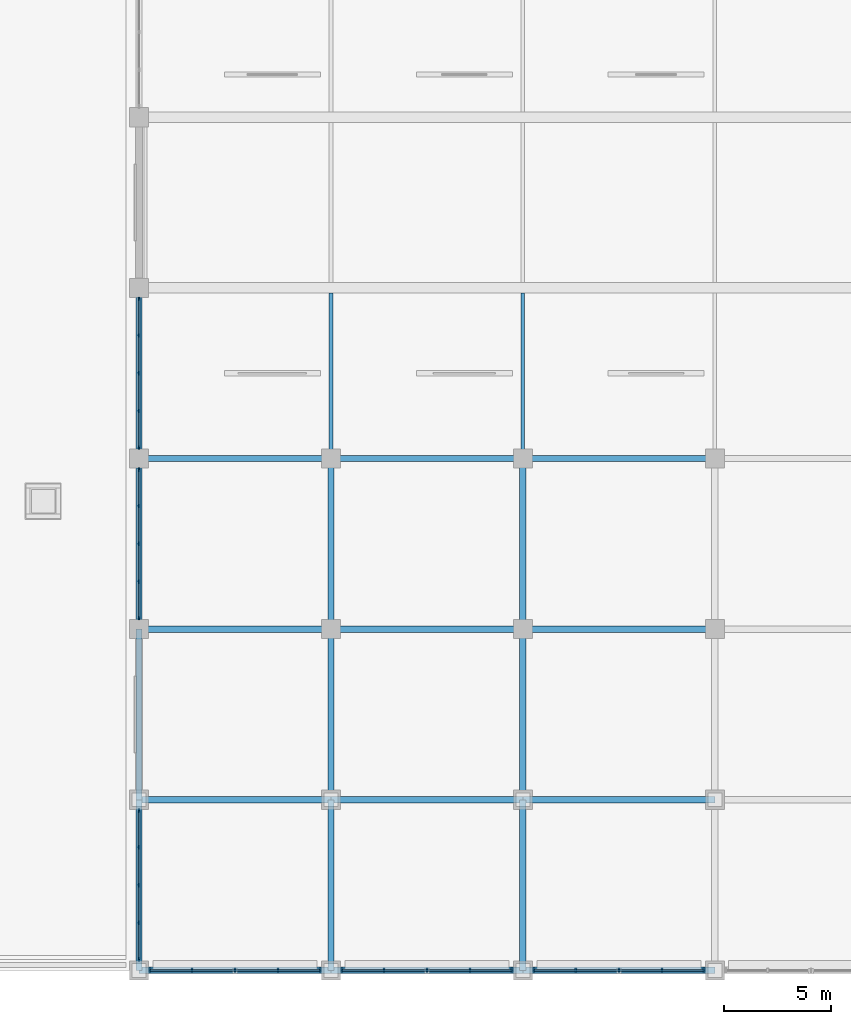
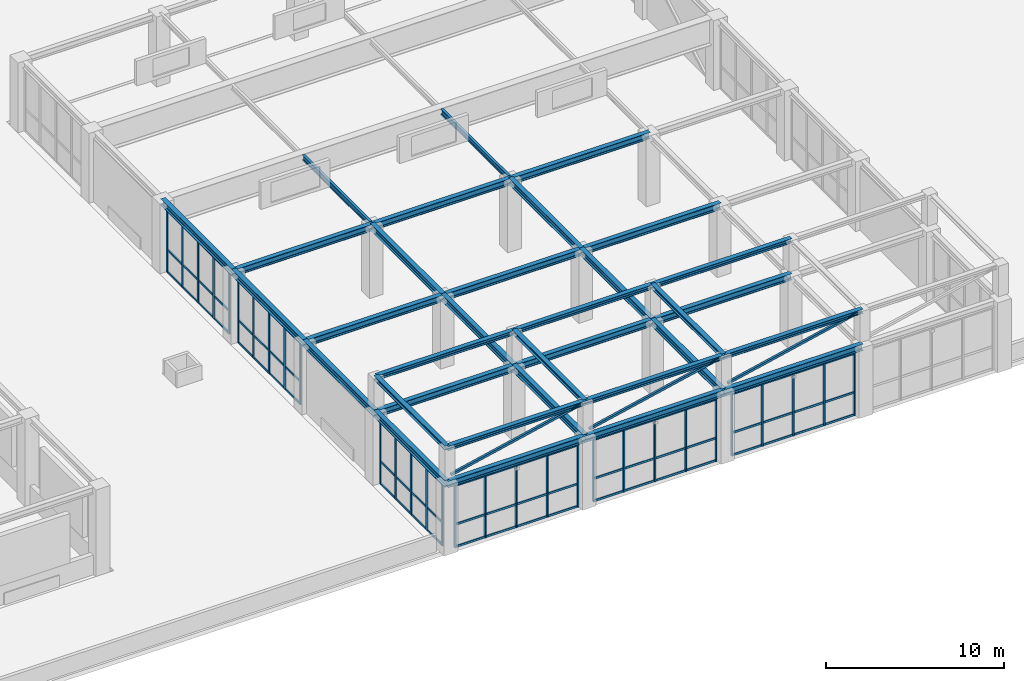
# One storey, part 2 of 34: 51 members, 33 beams, 6 elements without a shape of their own.
"""IFC4 building model written with IfcOpenShell, lengths in metres."""

from ifc_helpers import new_model, si_unit, direction, frame, origin, origin_2d, place, context, subcontext, project, spatial, rectangle, hollow_rectangle, i_section, extrude, material, material_profile, profile_set, type_object, element, aggregate, save


model = new_model("IFC4")

# Units and contexts
model_context = context("Model", 3, precision=1e-05, world=origin(), true_north=direction((0.0, 1.0)))
body_context = subcontext(model_context, "Body", "Model", "MODEL_VIEW")
ifc_project = project(units=[si_unit("LENGTHUNIT", "METRE"), si_unit("AREAUNIT", "SQUARE_METRE"), si_unit("VOLUMEUNIT", "CUBIC_METRE"), si_unit("PLANEANGLEUNIT", "RADIAN"), si_unit("MASSUNIT", "GRAM", prefix="KILO")], contexts=[model_context])

# Site, building, storey
site_placement = place(None, origin())
site = spatial("IfcSite", under=ifc_project, at=site_placement, CompositionType="ELEMENT")
building_placement = place(site_placement, origin())
building = spatial("IfcBuilding", under=site, at=building_placement, Name="Zaverband Oceanarium and Marine Research Institute", CompositionType="ELEMENT")
storey_placement = place(building_placement, frame((0.0, 0.0, 18.0)))
storey = spatial("IfcBuildingStorey", under=building, at=storey_placement, Name="L04", CompositionType="ELEMENT", Elevation=18.0)

# Members
ifc_material_1 = material(Name="Steel S355", Category="steel")
ifc_material_profile_1 = material_profile(ifc_material_1, hollow_rectangle(XDim=0.14990234375, YDim=0.14990234375, WallThickness=0.008056640625, at=origin_2d()), Name="SHS150x150x8")
ifc_profile_set_1 = profile_set([ifc_material_profile_1], Name="Steel S355")
member_type_1 = type_object("IfcMemberType", Name="BR-04", PredefinedType="BRACE", material=ifc_profile_set_1)
for number, where, z_axis, x_axis, name in (
    (1, (72.25, 0.0, 5.10009765625), (0.975918540379, 0.0, 0.218135284962), (0.0, 1.0, 0.0), "Diagonal lateral brace BR-04"),
    (2, (81.25, 0.0, 5.10009765625), (0.975918540379, 0.0, 0.218135284962), (0.0, 1.0, 0.0), "Diagonal lateral brace BR-04"),
    (3, (90.25, 0.0, 5.10009765625), (0.975918540379, 0.0, 0.218135284962), (0.0, 1.0, 0.0), "Diagonal lateral brace BR-04"),
):
    element("IfcMember", number, at=place(storey_placement, frame(where, z_axis=z_axis, x_axis=x_axis)), inside=storey, type_object=member_type_1, Name=name, PredefinedType="BRACE", context=body_context, shape_type="SweptSolid", body=[
        extrude(hollow_rectangle(XDim=0.14990234375, YDim=0.14990234375, WallThickness=0.008056640625, at=origin_2d()), origin(), (0.0, 0.0, 1.0), 8.709716796875),
    ])

# Curtain wall, members
ifc_material_2 = material(Name="Thermally broken anodized aluminium and solar-control glass", Category="aluminium")
curtain_wall_type = type_object("IfcCurtainWallType", Name="CW-UNIT-1800", PredefinedType="NOTDEFINED", material=ifc_material_2)
curtain_wall_1_placement = place(storey_placement, origin())
curtain_wall_1 = element("IfcCurtainWall", 4, at=curtain_wall_1_placement, inside=storey, type_object=curtain_wall_type, Name="Unitised glazed curtain wall CW-183", PredefinedType="NOTDEFINED")
ifc_material_3 = material(Name="Thermally broken anodized aluminium", Category="aluminium")
ifc_material_profile_2 = material_profile(ifc_material_3, rectangle(XDim=0.080078125, YDim=0.179931640625, at=origin_2d()), Name="AL-MUL-80x180")
ifc_profile_set_2 = profile_set([ifc_material_profile_2], Name="Thermally broken anodized aluminium")
member_type_2 = type_object("IfcMemberType", Name="MUL-80x180", PredefinedType="MULLION", material=ifc_profile_set_2)
member_1_placement = place(storey_placement, frame((72.52001953125, 0.0, 0.0), z_axis=(0.0, 0.0, 1.0), x_axis=(1.0, 0.0, 0.0)))
member_1 = element("IfcMember", 5, at=member_1_placement, type_object=member_type_2, Name="Curtain wall vertical mullion MUL-80x180", PredefinedType="MULLION", context=body_context, shape_type="SweptSolid", body=[
    extrude(rectangle(XDim=0.080078125, YDim=0.179931640625, at=origin_2d()), origin(), (0.0, 0.0, 1.0), 4.300048828125),
])
member_2_placement = place(storey_placement, frame((74.47998046875, 0.0, 0.0), z_axis=(0.0, 0.0, 1.0), x_axis=(1.0, 0.0, 0.0)))
member_2 = element("IfcMember", 6, at=member_2_placement, type_object=member_type_2, Name="Curtain wall vertical mullion MUL-80x180", PredefinedType="MULLION", context=body_context, shape_type="SweptSolid", body=[
    extrude(rectangle(XDim=0.080078125, YDim=0.179931640625, at=origin_2d()), origin(), (0.0, 0.0, 1.0), 4.300048828125),
])
member_3_placement = place(storey_placement, frame((76.5, 0.0, 0.0), z_axis=(0.0, 0.0, 1.0), x_axis=(1.0, 0.0, 0.0)))
member_3 = element("IfcMember", 7, at=member_3_placement, type_object=member_type_2, Name="Curtain wall vertical mullion MUL-80x180", PredefinedType="MULLION", context=body_context, shape_type="SweptSolid", body=[
    extrude(rectangle(XDim=0.080078125, YDim=0.179931640625, at=origin_2d()), origin(), (0.0, 0.0, 1.0), 4.300048828125),
])
member_4_placement = place(storey_placement, frame((78.52001953125, 0.0, 0.0), z_axis=(0.0, 0.0, 1.0), x_axis=(1.0, 0.0, 0.0)))
member_4 = element("IfcMember", 8, at=member_4_placement, type_object=member_type_2, Name="Curtain wall vertical mullion MUL-80x180", PredefinedType="MULLION", context=body_context, shape_type="SweptSolid", body=[
    extrude(rectangle(XDim=0.080078125, YDim=0.179931640625, at=origin_2d()), origin(), (0.0, 0.0, 1.0), 4.300048828125),
])
member_5_placement = place(storey_placement, frame((80.47998046875, 0.0, 0.0), z_axis=(0.0, 0.0, 1.0), x_axis=(1.0, 0.0, 0.0)))
member_5 = element("IfcMember", 9, at=member_5_placement, type_object=member_type_2, Name="Curtain wall vertical mullion MUL-80x180", PredefinedType="MULLION", context=body_context, shape_type="SweptSolid", body=[
    extrude(rectangle(XDim=0.080078125, YDim=0.179931640625, at=origin_2d()), origin(), (0.0, 0.0, 1.0), 4.300048828125),
])

curtain_wall_2_placement = place(storey_placement, origin())
curtain_wall_2 = element("IfcCurtainWall", 10, at=curtain_wall_2_placement, inside=storey, type_object=curtain_wall_type, Name="Unitised glazed curtain wall CW-184", PredefinedType="NOTDEFINED")
member_6_placement = place(storey_placement, frame((81.52001953125, 0.0, 0.0), z_axis=(0.0, 0.0, 1.0), x_axis=(1.0, 0.0, 0.0)))
member_6 = element("IfcMember", 11, at=member_6_placement, type_object=member_type_2, Name="Curtain wall vertical mullion MUL-80x180", PredefinedType="MULLION", context=body_context, shape_type="SweptSolid", body=[
    extrude(rectangle(XDim=0.080078125, YDim=0.179931640625, at=origin_2d()), origin(), (0.0, 0.0, 1.0), 4.300048828125),
])
member_7_placement = place(storey_placement, frame((83.47998046875, 0.0, 0.0), z_axis=(0.0, 0.0, 1.0), x_axis=(1.0, 0.0, 0.0)))
member_7 = element("IfcMember", 12, at=member_7_placement, type_object=member_type_2, Name="Curtain wall vertical mullion MUL-80x180", PredefinedType="MULLION", context=body_context, shape_type="SweptSolid", body=[
    extrude(rectangle(XDim=0.080078125, YDim=0.179931640625, at=origin_2d()), origin(), (0.0, 0.0, 1.0), 4.300048828125),
])
member_8_placement = place(storey_placement, frame((85.5, 0.0, 0.0), z_axis=(0.0, 0.0, 1.0), x_axis=(1.0, 0.0, 0.0)))
member_8 = element("IfcMember", 13, at=member_8_placement, type_object=member_type_2, Name="Curtain wall vertical mullion MUL-80x180", PredefinedType="MULLION", context=body_context, shape_type="SweptSolid", body=[
    extrude(rectangle(XDim=0.080078125, YDim=0.179931640625, at=origin_2d()), origin(), (0.0, 0.0, 1.0), 4.300048828125),
])
member_9_placement = place(storey_placement, frame((87.52001953125, 0.0, 0.0), z_axis=(0.0, 0.0, 1.0), x_axis=(1.0, 0.0, 0.0)))
member_9 = element("IfcMember", 14, at=member_9_placement, type_object=member_type_2, Name="Curtain wall vertical mullion MUL-80x180", PredefinedType="MULLION", context=body_context, shape_type="SweptSolid", body=[
    extrude(rectangle(XDim=0.080078125, YDim=0.179931640625, at=origin_2d()), origin(), (0.0, 0.0, 1.0), 4.300048828125),
])
member_10_placement = place(storey_placement, frame((89.47998046875, 0.0, 0.0), z_axis=(0.0, 0.0, 1.0), x_axis=(1.0, 0.0, 0.0)))
member_10 = element("IfcMember", 15, at=member_10_placement, type_object=member_type_2, Name="Curtain wall vertical mullion MUL-80x180", PredefinedType="MULLION", context=body_context, shape_type="SweptSolid", body=[
    extrude(rectangle(XDim=0.080078125, YDim=0.179931640625, at=origin_2d()), origin(), (0.0, 0.0, 1.0), 4.300048828125),
])

curtain_wall_3_placement = place(storey_placement, origin())
curtain_wall_3 = element("IfcCurtainWall", 16, at=curtain_wall_3_placement, inside=storey, type_object=curtain_wall_type, Name="Unitised glazed curtain wall CW-185", PredefinedType="NOTDEFINED")
member_11_placement = place(storey_placement, frame((90.52001953125, 0.0, 0.0), z_axis=(0.0, 0.0, 1.0), x_axis=(1.0, 0.0, 0.0)))
member_11 = element("IfcMember", 17, at=member_11_placement, type_object=member_type_2, Name="Curtain wall vertical mullion MUL-80x180", PredefinedType="MULLION", context=body_context, shape_type="SweptSolid", body=[
    extrude(rectangle(XDim=0.080078125, YDim=0.179931640625, at=origin_2d()), origin(), (0.0, 0.0, 1.0), 4.300048828125),
])
member_12_placement = place(storey_placement, frame((92.47998046875, 0.0, 0.0), z_axis=(0.0, 0.0, 1.0), x_axis=(1.0, 0.0, 0.0)))
member_12 = element("IfcMember", 18, at=member_12_placement, type_object=member_type_2, Name="Curtain wall vertical mullion MUL-80x180", PredefinedType="MULLION", context=body_context, shape_type="SweptSolid", body=[
    extrude(rectangle(XDim=0.080078125, YDim=0.179931640625, at=origin_2d()), origin(), (0.0, 0.0, 1.0), 4.300048828125),
])
member_13_placement = place(storey_placement, frame((94.5, 0.0, 0.0), z_axis=(0.0, 0.0, 1.0), x_axis=(1.0, 0.0, 0.0)))
member_13 = element("IfcMember", 19, at=member_13_placement, type_object=member_type_2, Name="Curtain wall vertical mullion MUL-80x180", PredefinedType="MULLION", context=body_context, shape_type="SweptSolid", body=[
    extrude(rectangle(XDim=0.080078125, YDim=0.179931640625, at=origin_2d()), origin(), (0.0, 0.0, 1.0), 4.300048828125),
])
member_14_placement = place(storey_placement, frame((96.52001953125, 0.0, 0.0), z_axis=(0.0, 0.0, 1.0), x_axis=(1.0, 0.0, 0.0)))
member_14 = element("IfcMember", 20, at=member_14_placement, type_object=member_type_2, Name="Curtain wall vertical mullion MUL-80x180", PredefinedType="MULLION", context=body_context, shape_type="SweptSolid", body=[
    extrude(rectangle(XDim=0.080078125, YDim=0.179931640625, at=origin_2d()), origin(), (0.0, 0.0, 1.0), 4.300048828125),
])
member_15_placement = place(storey_placement, frame((98.47998046875, 0.0, 0.0), z_axis=(0.0, 0.0, 1.0), x_axis=(1.0, 0.0, 0.0)))
member_15 = element("IfcMember", 21, at=member_15_placement, type_object=member_type_2, Name="Curtain wall vertical mullion MUL-80x180", PredefinedType="MULLION", context=body_context, shape_type="SweptSolid", body=[
    extrude(rectangle(XDim=0.080078125, YDim=0.179931640625, at=origin_2d()), origin(), (0.0, 0.0, 1.0), 4.300048828125),
])

curtain_wall_4_placement = place(storey_placement, origin())
curtain_wall_4 = element("IfcCurtainWall", 22, at=curtain_wall_4_placement, inside=storey, type_object=curtain_wall_type, Name="Unitised glazed curtain wall CW-187", PredefinedType="NOTDEFINED")
member_16_placement = place(storey_placement, frame((72.0, 0.52001953125, 0.0), z_axis=(0.0, 0.0, 1.0), x_axis=(1.0, 0.0, 0.0)))
member_16 = element("IfcMember", 23, at=member_16_placement, type_object=member_type_2, Name="Curtain wall vertical mullion MUL-80x180", PredefinedType="MULLION", context=body_context, shape_type="SweptSolid", body=[
    extrude(rectangle(XDim=0.080078125, YDim=0.179931640625, at=origin_2d()), origin(), (0.0, 0.0, 1.0), 4.300048828125),
])
member_17_placement = place(storey_placement, frame((72.0, 2.22998046875, 0.0), z_axis=(0.0, 0.0, 1.0), x_axis=(1.0, 0.0, 0.0)))
member_17 = element("IfcMember", 24, at=member_17_placement, type_object=member_type_2, Name="Curtain wall vertical mullion MUL-80x180", PredefinedType="MULLION", context=body_context, shape_type="SweptSolid", body=[
    extrude(rectangle(XDim=0.080078125, YDim=0.179931640625, at=origin_2d()), origin(), (0.0, 0.0, 1.0), 4.300048828125),
])
member_18_placement = place(storey_placement, frame((72.0, 4.0, 0.0), z_axis=(0.0, 0.0, 1.0), x_axis=(1.0, 0.0, 0.0)))
member_18 = element("IfcMember", 25, at=member_18_placement, type_object=member_type_2, Name="Curtain wall vertical mullion MUL-80x180", PredefinedType="MULLION", context=body_context, shape_type="SweptSolid", body=[
    extrude(rectangle(XDim=0.080078125, YDim=0.179931640625, at=origin_2d()), origin(), (0.0, 0.0, 1.0), 4.300048828125),
])
member_19_placement = place(storey_placement, frame((72.0, 5.77001953125, 0.0), z_axis=(0.0, 0.0, 1.0), x_axis=(1.0, 0.0, 0.0)))
member_19 = element("IfcMember", 26, at=member_19_placement, type_object=member_type_2, Name="Curtain wall vertical mullion MUL-80x180", PredefinedType="MULLION", context=body_context, shape_type="SweptSolid", body=[
    extrude(rectangle(XDim=0.080078125, YDim=0.179931640625, at=origin_2d()), origin(), (0.0, 0.0, 1.0), 4.300048828125),
])
member_20_placement = place(storey_placement, frame((72.0, 7.47998046875, 0.0), z_axis=(0.0, 0.0, 1.0), x_axis=(1.0, 0.0, 0.0)))
member_20 = element("IfcMember", 27, at=member_20_placement, type_object=member_type_2, Name="Curtain wall vertical mullion MUL-80x180", PredefinedType="MULLION", context=body_context, shape_type="SweptSolid", body=[
    extrude(rectangle(XDim=0.080078125, YDim=0.179931640625, at=origin_2d()), origin(), (0.0, 0.0, 1.0), 4.300048828125),
])

curtain_wall_5_placement = place(storey_placement, origin())
curtain_wall_5 = element("IfcCurtainWall", 28, at=curtain_wall_5_placement, inside=storey, type_object=curtain_wall_type, Name="Unitised glazed curtain wall CW-188", PredefinedType="NOTDEFINED")
member_21_placement = place(storey_placement, frame((72.0, 16.52001953125, 0.0), z_axis=(0.0, 0.0, 1.0), x_axis=(1.0, 0.0, 0.0)))
member_21 = element("IfcMember", 29, at=member_21_placement, type_object=member_type_2, Name="Curtain wall vertical mullion MUL-80x180", PredefinedType="MULLION", context=body_context, shape_type="SweptSolid", body=[
    extrude(rectangle(XDim=0.080078125, YDim=0.179931640625, at=origin_2d()), origin(), (0.0, 0.0, 1.0), 4.300048828125),
])
member_22_placement = place(storey_placement, frame((72.0, 18.22998046875, 0.0), z_axis=(0.0, 0.0, 1.0), x_axis=(1.0, 0.0, 0.0)))
member_22 = element("IfcMember", 30, at=member_22_placement, type_object=member_type_2, Name="Curtain wall vertical mullion MUL-80x180", PredefinedType="MULLION", context=body_context, shape_type="SweptSolid", body=[
    extrude(rectangle(XDim=0.080078125, YDim=0.179931640625, at=origin_2d()), origin(), (0.0, 0.0, 1.0), 4.300048828125),
])
member_23_placement = place(storey_placement, frame((72.0, 20.0, 0.0), z_axis=(0.0, 0.0, 1.0), x_axis=(1.0, 0.0, 0.0)))
member_23 = element("IfcMember", 31, at=member_23_placement, type_object=member_type_2, Name="Curtain wall vertical mullion MUL-80x180", PredefinedType="MULLION", context=body_context, shape_type="SweptSolid", body=[
    extrude(rectangle(XDim=0.080078125, YDim=0.179931640625, at=origin_2d()), origin(), (0.0, 0.0, 1.0), 4.300048828125),
])
member_24_placement = place(storey_placement, frame((72.0, 21.77001953125, 0.0), z_axis=(0.0, 0.0, 1.0), x_axis=(1.0, 0.0, 0.0)))
member_24 = element("IfcMember", 32, at=member_24_placement, type_object=member_type_2, Name="Curtain wall vertical mullion MUL-80x180", PredefinedType="MULLION", context=body_context, shape_type="SweptSolid", body=[
    extrude(rectangle(XDim=0.080078125, YDim=0.179931640625, at=origin_2d()), origin(), (0.0, 0.0, 1.0), 4.300048828125),
])
member_25_placement = place(storey_placement, frame((72.0, 23.47998046875, 0.0), z_axis=(0.0, 0.0, 1.0), x_axis=(1.0, 0.0, 0.0)))
member_25 = element("IfcMember", 33, at=member_25_placement, type_object=member_type_2, Name="Curtain wall vertical mullion MUL-80x180", PredefinedType="MULLION", context=body_context, shape_type="SweptSolid", body=[
    extrude(rectangle(XDim=0.080078125, YDim=0.179931640625, at=origin_2d()), origin(), (0.0, 0.0, 1.0), 4.300048828125),
])

curtain_wall_6_placement = place(storey_placement, origin())
curtain_wall_6 = element("IfcCurtainWall", 34, at=curtain_wall_6_placement, inside=storey, type_object=curtain_wall_type, Name="Unitised glazed curtain wall CW-189", PredefinedType="NOTDEFINED")
member_26_placement = place(storey_placement, frame((72.0, 24.52001953125, 0.0), z_axis=(0.0, 0.0, 1.0), x_axis=(1.0, 0.0, 0.0)))
member_26 = element("IfcMember", 35, at=member_26_placement, type_object=member_type_2, Name="Curtain wall vertical mullion MUL-80x180", PredefinedType="MULLION", context=body_context, shape_type="SweptSolid", body=[
    extrude(rectangle(XDim=0.080078125, YDim=0.179931640625, at=origin_2d()), origin(), (0.0, 0.0, 1.0), 4.300048828125),
])
member_27_placement = place(storey_placement, frame((72.0, 26.22998046875, 0.0), z_axis=(0.0, 0.0, 1.0), x_axis=(1.0, 0.0, 0.0)))
member_27 = element("IfcMember", 36, at=member_27_placement, type_object=member_type_2, Name="Curtain wall vertical mullion MUL-80x180", PredefinedType="MULLION", context=body_context, shape_type="SweptSolid", body=[
    extrude(rectangle(XDim=0.080078125, YDim=0.179931640625, at=origin_2d()), origin(), (0.0, 0.0, 1.0), 4.300048828125),
])
member_28_placement = place(storey_placement, frame((72.0, 28.0, 0.0), z_axis=(0.0, 0.0, 1.0), x_axis=(1.0, 0.0, 0.0)))
member_28 = element("IfcMember", 37, at=member_28_placement, type_object=member_type_2, Name="Curtain wall vertical mullion MUL-80x180", PredefinedType="MULLION", context=body_context, shape_type="SweptSolid", body=[
    extrude(rectangle(XDim=0.080078125, YDim=0.179931640625, at=origin_2d()), origin(), (0.0, 0.0, 1.0), 4.300048828125),
])
member_29_placement = place(storey_placement, frame((72.0, 29.77001953125, 0.0), z_axis=(0.0, 0.0, 1.0), x_axis=(1.0, 0.0, 0.0)))
member_29 = element("IfcMember", 38, at=member_29_placement, type_object=member_type_2, Name="Curtain wall vertical mullion MUL-80x180", PredefinedType="MULLION", context=body_context, shape_type="SweptSolid", body=[
    extrude(rectangle(XDim=0.080078125, YDim=0.179931640625, at=origin_2d()), origin(), (0.0, 0.0, 1.0), 4.300048828125),
])
member_30_placement = place(storey_placement, frame((72.0, 31.47998046875, 0.0), z_axis=(0.0, 0.0, 1.0), x_axis=(1.0, 0.0, 0.0)))
member_30 = element("IfcMember", 39, at=member_30_placement, type_object=member_type_2, Name="Curtain wall vertical mullion MUL-80x180", PredefinedType="MULLION", context=body_context, shape_type="SweptSolid", body=[
    extrude(rectangle(XDim=0.080078125, YDim=0.179931640625, at=origin_2d()), origin(), (0.0, 0.0, 1.0), 4.300048828125),
])

# Beams
ifc_material_profile_3 = material_profile(ifc_material_1, i_section(OverallWidth=0.300048828125, OverallDepth=0.300048828125, WebThickness=0.010986328125, FlangeThickness=0.01904296875, FilletRadius=0.027099609375, at=origin_2d()), Name="HEB300")
ifc_profile_set_3 = profile_set([ifc_material_profile_3], Name="Steel S355")
beam_type_1 = type_object("IfcBeamType", Name="SB-HEB300", PredefinedType="BEAM", material=ifc_profile_set_3)
for number, where, z_axis, x_axis, name in (
    (40, (72.0, 0.0, 7.050048828125), (0.0, 1.0, 0.0), (-1.0, 0.0, 0.0), "Crown frame edge girder SB-HEB300"),
    (41, (81.0, 0.0, 7.050048828125), (0.0, 1.0, 0.0), (-1.0, 0.0, 0.0), "Crown frame edge girder SB-HEB300"),
    (42, (90.0, 0.0, 7.050048828125), (0.0, 1.0, 0.0), (-1.0, 0.0, 0.0), "Crown frame edge girder SB-HEB300"),
):
    element("IfcBeam", number, at=place(storey_placement, frame(where, z_axis=z_axis, x_axis=x_axis)), inside=storey, type_object=beam_type_1, Name=name, PredefinedType="BEAM", context=body_context, shape_type="SweptSolid", body=[
        extrude(i_section(OverallWidth=0.300048828125, OverallDepth=0.300048828125, WebThickness=0.010986328125, FlangeThickness=0.01904296875, FilletRadius=0.027099609375, at=origin_2d()), origin(), (0.0, 0.0, 1.0), 8.0),
    ])
for number, where, z_axis, x_axis, name in (
    (43, (72.0, 0.0, 7.050048828125), (1.0, 0.0, 0.0), (0.0, 1.0, 0.0), "Crown frame edge girder SB-HEB300"),
    (44, (72.0, 8.0, 7.050048828125), (1.0, 0.0, 0.0), (0.0, 1.0, 0.0), "Crown frame edge girder SB-HEB300"),
    (45, (81.0, 0.0, 7.050048828125), (1.0, 0.0, 0.0), (0.0, 1.0, 0.0), "Crown frame edge girder SB-HEB300"),
    (46, (81.0, 8.0, 7.050048828125), (1.0, 0.0, 0.0), (0.0, 1.0, 0.0), "Crown frame edge girder SB-HEB300"),
    (47, (90.0, 0.0, 7.050048828125), (1.0, 0.0, 0.0), (0.0, 1.0, 0.0), "Crown frame edge girder SB-HEB300"),
    (48, (90.0, 8.0, 7.050048828125), (1.0, 0.0, 0.0), (0.0, 1.0, 0.0), "Crown frame edge girder SB-HEB300"),
):
    element("IfcBeam", number, at=place(storey_placement, frame(where, z_axis=z_axis, x_axis=x_axis)), inside=storey, type_object=beam_type_1, Name=name, PredefinedType="BEAM", context=body_context, shape_type="SweptSolid", body=[
        extrude(i_section(OverallWidth=0.300048828125, OverallDepth=0.300048828125, WebThickness=0.010986328125, FlangeThickness=0.01904296875, FilletRadius=0.027099609375, at=origin_2d()), origin(), (0.0, 0.0, 1.0), 9.0),
    ])
ifc_material_profile_4 = material_profile(ifc_material_1, i_section(OverallWidth=0.300048828125, OverallDepth=0.449951171875, WebThickness=0.013916015625, FlangeThickness=0.02587890625, FilletRadius=0.027099609375, at=origin_2d()), Name="HEB450")
ifc_profile_set_4 = profile_set([ifc_material_profile_4], Name="Steel S355")
beam_type_2 = type_object("IfcBeamType", Name="SB-HEB450", PredefinedType="BEAM", material=ifc_profile_set_4)
for number, where, z_axis, x_axis, name in (
    (49, (72.0, 0.0, 4.574951171875), (1.0, 0.0, 0.0), (0.0, 1.0, 0.0), "Primary steel canopy girder SB-HEB450"),
    (50, (81.0, 0.0, 4.574951171875), (1.0, 0.0, 0.0), (0.0, 1.0, 0.0), "Primary steel canopy girder SB-HEB450"),
    (51, (90.0, 0.0, 4.574951171875), (1.0, 0.0, 0.0), (0.0, 1.0, 0.0), "Primary steel canopy girder SB-HEB450"),
    (52, (72.0, 8.0, 4.574951171875), (1.0, 0.0, 0.0), (0.0, 1.0, 0.0), "Primary steel canopy girder SB-HEB450"),
    (53, (81.0, 8.0, 4.574951171875), (1.0, 0.0, 0.0), (0.0, 1.0, 0.0), "Primary steel canopy girder SB-HEB450"),
    (54, (90.0, 8.0, 4.574951171875), (1.0, 0.0, 0.0), (0.0, 1.0, 0.0), "Primary steel canopy girder SB-HEB450"),
    (55, (72.0, 16.0, 4.574951171875), (1.0, 0.0, 0.0), (0.0, 1.0, 0.0), "Primary steel canopy girder SB-HEB450"),
    (56, (81.0, 16.0, 4.574951171875), (1.0, 0.0, 0.0), (0.0, 1.0, 0.0), "Primary steel canopy girder SB-HEB450"),
    (57, (90.0, 16.0, 4.574951171875), (1.0, 0.0, 0.0), (0.0, 1.0, 0.0), "Primary steel canopy girder SB-HEB450"),
    (58, (72.0, 24.0, 4.574951171875), (1.0, 0.0, 0.0), (0.0, 1.0, 0.0), "Primary steel canopy girder SB-HEB450"),
    (59, (81.0, 24.0, 4.574951171875), (1.0, 0.0, 0.0), (0.0, 1.0, 0.0), "Primary steel canopy girder SB-HEB450"),
    (60, (90.0, 24.0, 4.574951171875), (1.0, 0.0, 0.0), (0.0, 1.0, 0.0), "Primary steel canopy girder SB-HEB450"),
):
    element("IfcBeam", number, at=place(storey_placement, frame(where, z_axis=z_axis, x_axis=x_axis)), inside=storey, type_object=beam_type_2, Name=name, PredefinedType="BEAM", context=body_context, shape_type="SweptSolid", body=[
        extrude(i_section(OverallWidth=0.300048828125, OverallDepth=0.449951171875, WebThickness=0.013916015625, FlangeThickness=0.02587890625, FilletRadius=0.027099609375, at=origin_2d()), origin(), (0.0, 0.0, 1.0), 9.0),
    ])
for number, where, z_axis, x_axis, name in (
    (61, (72.0, 0.0, 4.574951171875), (0.0, 1.0, 0.0), (-1.0, 0.0, 0.0), "Primary steel canopy girder SB-HEB450"),
    (62, (72.0, 8.0, 4.574951171875), (0.0, 1.0, 0.0), (-1.0, 0.0, 0.0), "Primary steel canopy girder SB-HEB450"),
    (63, (72.0, 16.0, 4.574951171875), (0.0, 1.0, 0.0), (-1.0, 0.0, 0.0), "Primary steel canopy girder SB-HEB450"),
    (64, (81.0, 0.0, 4.574951171875), (0.0, 1.0, 0.0), (-1.0, 0.0, 0.0), "Primary steel canopy girder SB-HEB450"),
    (65, (81.0, 8.0, 4.574951171875), (0.0, 1.0, 0.0), (-1.0, 0.0, 0.0), "Primary steel canopy girder SB-HEB450"),
    (66, (81.0, 16.0, 4.574951171875), (0.0, 1.0, 0.0), (-1.0, 0.0, 0.0), "Primary steel canopy girder SB-HEB450"),
    (67, (90.0, 0.0, 4.574951171875), (0.0, 1.0, 0.0), (-1.0, 0.0, 0.0), "Primary steel canopy girder SB-HEB450"),
    (68, (90.0, 8.0, 4.574951171875), (0.0, 1.0, 0.0), (-1.0, 0.0, 0.0), "Primary steel canopy girder SB-HEB450"),
    (69, (90.0, 16.0, 4.574951171875), (0.0, 1.0, 0.0), (-1.0, 0.0, 0.0), "Primary steel canopy girder SB-HEB450"),
    (70, (72.0, 24.0, 4.574951171875), (0.0, 1.0, 0.0), (-1.0, 0.0, 0.0), "Primary steel canopy girder SB-HEB450"),
):
    element("IfcBeam", number, at=place(storey_placement, frame(where, z_axis=z_axis, x_axis=x_axis)), inside=storey, type_object=beam_type_2, Name=name, PredefinedType="BEAM", context=body_context, shape_type="SweptSolid", body=[
        extrude(i_section(OverallWidth=0.300048828125, OverallDepth=0.449951171875, WebThickness=0.013916015625, FlangeThickness=0.02587890625, FilletRadius=0.027099609375, at=origin_2d()), origin(), (0.0, 0.0, 1.0), 8.0),
    ])
ifc_material_profile_5 = material_profile(ifc_material_1, i_section(OverallWidth=0.169921875, OverallDepth=0.360107421875, WebThickness=0.008056640625, FlangeThickness=0.0126953125, FilletRadius=0.01806640625, at=origin_2d()), Name="IPE360")
ifc_profile_set_5 = profile_set([ifc_material_profile_5], Name="Steel S355")
beam_type_3 = type_object("IfcBeamType", Name="SB-IPE360", PredefinedType="JOIST", material=ifc_profile_set_5)
for number, where, z_axis, x_axis, name in (
    (71, (81.0, 24.14990234375, 4.6201171875), (0.0, 1.0, 0.0), (-1.0, 0.0, 0.0), "Atrium secondary steel joist SB-IPE360"),
    (72, (90.0, 24.14990234375, 4.6201171875), (0.0, 1.0, 0.0), (-1.0, 0.0, 0.0), "Atrium secondary steel joist SB-IPE360"),
):
    element("IfcBeam", number, at=place(storey_placement, frame(where, z_axis=z_axis, x_axis=x_axis)), inside=storey, type_object=beam_type_3, Name=name, PredefinedType="JOIST", context=body_context, shape_type="SweptSolid", body=[
        extrude(i_section(OverallWidth=0.169921875, OverallDepth=0.360107421875, WebThickness=0.008056640625, FlangeThickness=0.0126953125, FilletRadius=0.01806640625, at=origin_2d()), origin(), (0.0, 0.0, 1.0), 7.60009765625),
    ])

# Member
ifc_material_profile_6 = material_profile(ifc_material_3, rectangle(XDim=0.080078125, YDim=0.139892578125, at=origin_2d()), Name="AL-TRN-80x140")
ifc_profile_set_6 = profile_set([ifc_material_profile_6], Name="Thermally broken anodized aluminium")
member_type_3 = type_object("IfcMemberType", Name="TRN-80x140", PredefinedType="USERDEFINED", material=ifc_profile_set_6)
member_31_placement = place(storey_placement, frame((72.52001953125, 0.0, 0.050048828125), z_axis=(1.0, 0.0, 0.0), x_axis=(0.0, 1.0, 0.0)))
member_31 = element("IfcMember", 73, at=member_31_placement, type_object=member_type_3, Name="Curtain wall horizontal transom TRN-80x140", ObjectType="TRANSOM", PredefinedType="USERDEFINED", context=body_context, shape_type="SweptSolid", body=[
    extrude(rectangle(XDim=0.080078125, YDim=0.139892578125, at=origin_2d()), origin(), (0.0, 0.0, 1.0), 7.9599609375),
])

member_32_placement = place(storey_placement, frame((72.52001953125, 0.0, 1.5849609375), z_axis=(1.0, 0.0, 0.0), x_axis=(0.0, 1.0, 0.0)))
member_32 = element("IfcMember", 74, at=member_32_placement, type_object=member_type_3, Name="Curtain wall horizontal transom TRN-80x140", ObjectType="TRANSOM", PredefinedType="USERDEFINED", context=body_context, shape_type="SweptSolid", body=[
    extrude(rectangle(XDim=0.080078125, YDim=0.139892578125, at=origin_2d()), origin(), (0.0, 0.0, 1.0), 7.9599609375),
])

member_33_placement = place(storey_placement, frame((72.52001953125, 0.0, 4.25), z_axis=(1.0, 0.0, 0.0), x_axis=(0.0, 1.0, 0.0)))
member_33 = element("IfcMember", 75, at=member_33_placement, type_object=member_type_3, Name="Curtain wall horizontal transom TRN-80x140", ObjectType="TRANSOM", PredefinedType="USERDEFINED", context=body_context, shape_type="SweptSolid", body=[
    extrude(rectangle(XDim=0.080078125, YDim=0.139892578125, at=origin_2d()), origin(), (0.0, 0.0, 1.0), 7.9599609375),
])

aggregate(curtain_wall_1, [member_1, member_2, member_3, member_4, member_5, member_31, member_32, member_33])

member_34_placement = place(storey_placement, frame((81.52001953125, 0.0, 0.050048828125), z_axis=(1.0, 0.0, 0.0), x_axis=(0.0, 1.0, 0.0)))
member_34 = element("IfcMember", 76, at=member_34_placement, type_object=member_type_3, Name="Curtain wall horizontal transom TRN-80x140", ObjectType="TRANSOM", PredefinedType="USERDEFINED", context=body_context, shape_type="SweptSolid", body=[
    extrude(rectangle(XDim=0.080078125, YDim=0.139892578125, at=origin_2d()), origin(), (0.0, 0.0, 1.0), 7.9599609375),
])

member_35_placement = place(storey_placement, frame((81.52001953125, 0.0, 1.5849609375), z_axis=(1.0, 0.0, 0.0), x_axis=(0.0, 1.0, 0.0)))
member_35 = element("IfcMember", 77, at=member_35_placement, type_object=member_type_3, Name="Curtain wall horizontal transom TRN-80x140", ObjectType="TRANSOM", PredefinedType="USERDEFINED", context=body_context, shape_type="SweptSolid", body=[
    extrude(rectangle(XDim=0.080078125, YDim=0.139892578125, at=origin_2d()), origin(), (0.0, 0.0, 1.0), 7.9599609375),
])

member_36_placement = place(storey_placement, frame((81.52001953125, 0.0, 4.25), z_axis=(1.0, 0.0, 0.0), x_axis=(0.0, 1.0, 0.0)))
member_36 = element("IfcMember", 78, at=member_36_placement, type_object=member_type_3, Name="Curtain wall horizontal transom TRN-80x140", ObjectType="TRANSOM", PredefinedType="USERDEFINED", context=body_context, shape_type="SweptSolid", body=[
    extrude(rectangle(XDim=0.080078125, YDim=0.139892578125, at=origin_2d()), origin(), (0.0, 0.0, 1.0), 7.9599609375),
])

aggregate(curtain_wall_2, [member_6, member_7, member_8, member_9, member_10, member_34, member_35, member_36])

member_37_placement = place(storey_placement, frame((90.52001953125, 0.0, 0.050048828125), z_axis=(1.0, 0.0, 0.0), x_axis=(0.0, 1.0, 0.0)))
member_37 = element("IfcMember", 79, at=member_37_placement, type_object=member_type_3, Name="Curtain wall horizontal transom TRN-80x140", ObjectType="TRANSOM", PredefinedType="USERDEFINED", context=body_context, shape_type="SweptSolid", body=[
    extrude(rectangle(XDim=0.080078125, YDim=0.139892578125, at=origin_2d()), origin(), (0.0, 0.0, 1.0), 7.9599609375),
])

member_38_placement = place(storey_placement, frame((90.52001953125, 0.0, 1.5849609375), z_axis=(1.0, 0.0, 0.0), x_axis=(0.0, 1.0, 0.0)))
member_38 = element("IfcMember", 80, at=member_38_placement, type_object=member_type_3, Name="Curtain wall horizontal transom TRN-80x140", ObjectType="TRANSOM", PredefinedType="USERDEFINED", context=body_context, shape_type="SweptSolid", body=[
    extrude(rectangle(XDim=0.080078125, YDim=0.139892578125, at=origin_2d()), origin(), (0.0, 0.0, 1.0), 7.9599609375),
])

member_39_placement = place(storey_placement, frame((90.52001953125, 0.0, 4.25), z_axis=(1.0, 0.0, 0.0), x_axis=(0.0, 1.0, 0.0)))
member_39 = element("IfcMember", 81, at=member_39_placement, type_object=member_type_3, Name="Curtain wall horizontal transom TRN-80x140", ObjectType="TRANSOM", PredefinedType="USERDEFINED", context=body_context, shape_type="SweptSolid", body=[
    extrude(rectangle(XDim=0.080078125, YDim=0.139892578125, at=origin_2d()), origin(), (0.0, 0.0, 1.0), 7.9599609375),
])

aggregate(curtain_wall_3, [member_11, member_12, member_13, member_14, member_15, member_37, member_38, member_39])

member_40_placement = place(storey_placement, frame((72.0, 0.52001953125, 0.050048828125), z_axis=(0.0, 1.0, 0.0), x_axis=(-1.0, 0.0, 0.0)))
member_40 = element("IfcMember", 82, at=member_40_placement, type_object=member_type_3, Name="Curtain wall horizontal transom TRN-80x140", ObjectType="TRANSOM", PredefinedType="USERDEFINED", context=body_context, shape_type="SweptSolid", body=[
    extrude(rectangle(XDim=0.080078125, YDim=0.139892578125, at=origin_2d()), origin(), (0.0, 0.0, 1.0), 6.9599609375),
])

member_41_placement = place(storey_placement, frame((72.0, 0.52001953125, 1.5849609375), z_axis=(0.0, 1.0, 0.0), x_axis=(-1.0, 0.0, 0.0)))
member_41 = element("IfcMember", 83, at=member_41_placement, type_object=member_type_3, Name="Curtain wall horizontal transom TRN-80x140", ObjectType="TRANSOM", PredefinedType="USERDEFINED", context=body_context, shape_type="SweptSolid", body=[
    extrude(rectangle(XDim=0.080078125, YDim=0.139892578125, at=origin_2d()), origin(), (0.0, 0.0, 1.0), 6.9599609375),
])

member_42_placement = place(storey_placement, frame((72.0, 0.52001953125, 4.25), z_axis=(0.0, 1.0, 0.0), x_axis=(-1.0, 0.0, 0.0)))
member_42 = element("IfcMember", 84, at=member_42_placement, type_object=member_type_3, Name="Curtain wall horizontal transom TRN-80x140", ObjectType="TRANSOM", PredefinedType="USERDEFINED", context=body_context, shape_type="SweptSolid", body=[
    extrude(rectangle(XDim=0.080078125, YDim=0.139892578125, at=origin_2d()), origin(), (0.0, 0.0, 1.0), 6.9599609375),
])

aggregate(curtain_wall_4, [member_16, member_17, member_18, member_19, member_20, member_40, member_41, member_42])

member_43_placement = place(storey_placement, frame((72.0, 16.52001953125, 0.050048828125), z_axis=(0.0, 1.0, 0.0), x_axis=(-1.0, 0.0, 0.0)))
member_43 = element("IfcMember", 85, at=member_43_placement, type_object=member_type_3, Name="Curtain wall horizontal transom TRN-80x140", ObjectType="TRANSOM", PredefinedType="USERDEFINED", context=body_context, shape_type="SweptSolid", body=[
    extrude(rectangle(XDim=0.080078125, YDim=0.139892578125, at=origin_2d()), origin(), (0.0, 0.0, 1.0), 6.9599609375),
])

member_44_placement = place(storey_placement, frame((72.0, 16.52001953125, 1.5849609375), z_axis=(0.0, 1.0, 0.0), x_axis=(-1.0, 0.0, 0.0)))
member_44 = element("IfcMember", 86, at=member_44_placement, type_object=member_type_3, Name="Curtain wall horizontal transom TRN-80x140", ObjectType="TRANSOM", PredefinedType="USERDEFINED", context=body_context, shape_type="SweptSolid", body=[
    extrude(rectangle(XDim=0.080078125, YDim=0.139892578125, at=origin_2d()), origin(), (0.0, 0.0, 1.0), 6.9599609375),
])

member_45_placement = place(storey_placement, frame((72.0, 16.52001953125, 4.25), z_axis=(0.0, 1.0, 0.0), x_axis=(-1.0, 0.0, 0.0)))
member_45 = element("IfcMember", 87, at=member_45_placement, type_object=member_type_3, Name="Curtain wall horizontal transom TRN-80x140", ObjectType="TRANSOM", PredefinedType="USERDEFINED", context=body_context, shape_type="SweptSolid", body=[
    extrude(rectangle(XDim=0.080078125, YDim=0.139892578125, at=origin_2d()), origin(), (0.0, 0.0, 1.0), 6.9599609375),
])

aggregate(curtain_wall_5, [member_21, member_22, member_23, member_24, member_25, member_43, member_44, member_45])

member_46_placement = place(storey_placement, frame((72.0, 24.52001953125, 0.050048828125), z_axis=(0.0, 1.0, 0.0), x_axis=(-1.0, 0.0, 0.0)))
member_46 = element("IfcMember", 88, at=member_46_placement, type_object=member_type_3, Name="Curtain wall horizontal transom TRN-80x140", ObjectType="TRANSOM", PredefinedType="USERDEFINED", context=body_context, shape_type="SweptSolid", body=[
    extrude(rectangle(XDim=0.080078125, YDim=0.139892578125, at=origin_2d()), origin(), (0.0, 0.0, 1.0), 6.9599609375),
])

member_47_placement = place(storey_placement, frame((72.0, 24.52001953125, 1.5849609375), z_axis=(0.0, 1.0, 0.0), x_axis=(-1.0, 0.0, 0.0)))
member_47 = element("IfcMember", 89, at=member_47_placement, type_object=member_type_3, Name="Curtain wall horizontal transom TRN-80x140", ObjectType="TRANSOM", PredefinedType="USERDEFINED", context=body_context, shape_type="SweptSolid", body=[
    extrude(rectangle(XDim=0.080078125, YDim=0.139892578125, at=origin_2d()), origin(), (0.0, 0.0, 1.0), 6.9599609375),
])

member_48_placement = place(storey_placement, frame((72.0, 24.52001953125, 4.25), z_axis=(0.0, 1.0, 0.0), x_axis=(-1.0, 0.0, 0.0)))
member_48 = element("IfcMember", 90, at=member_48_placement, type_object=member_type_3, Name="Curtain wall horizontal transom TRN-80x140", ObjectType="TRANSOM", PredefinedType="USERDEFINED", context=body_context, shape_type="SweptSolid", body=[
    extrude(rectangle(XDim=0.080078125, YDim=0.139892578125, at=origin_2d()), origin(), (0.0, 0.0, 1.0), 6.9599609375),
])

aggregate(curtain_wall_6, [member_26, member_27, member_28, member_29, member_30, member_46, member_47, member_48])

save(model, "model.ifc")
